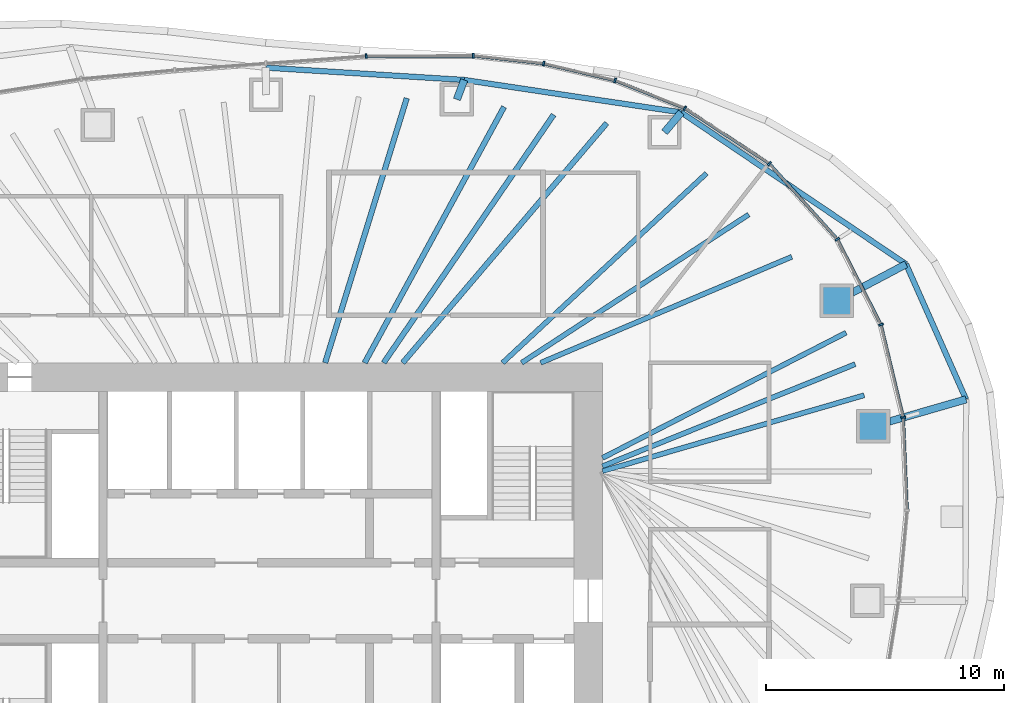
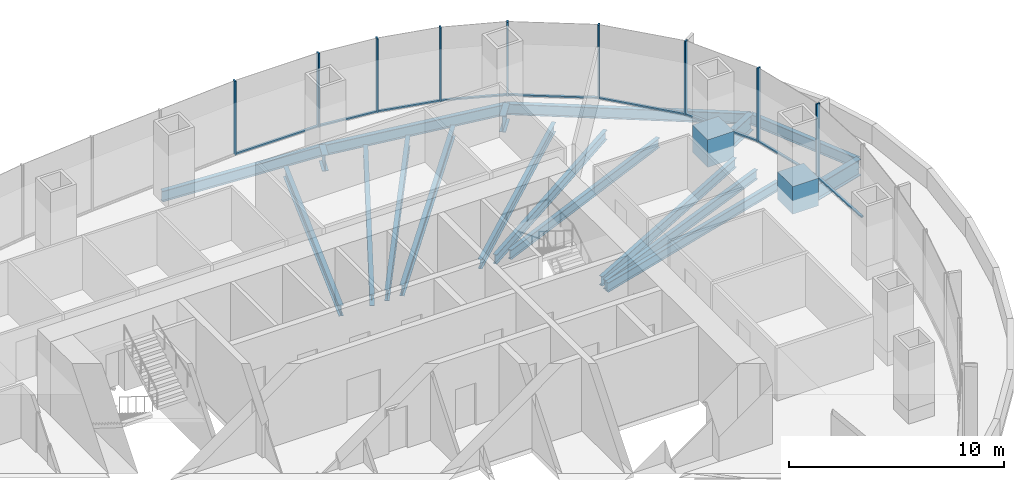
# One storey, part 6 of 12: 20 members, 18 beams, 5 elements without a shape of their own.
"""IFC4 building model written with IfcOpenShell, lengths in metres."""

from ifc_helpers import new_model, si_unit, direction, frame, origin, origin_2d, place, context, subcontext, project, spatial, rectangle, hollow_rectangle, i_section, extrude, boolean, material, material_profile, profile_set, type_object, element, aggregate, save


model = new_model("IFC4")

# Units and contexts
model_context = context("Model", 3, precision=1e-05, world=origin(), true_north=direction((0.0, 1.0)))
body_context = subcontext(model_context, "Body", "Model", "MODEL_VIEW")
ifc_project = project(units=[si_unit("LENGTHUNIT", "METRE"), si_unit("AREAUNIT", "SQUARE_METRE"), si_unit("VOLUMEUNIT", "CUBIC_METRE"), si_unit("PLANEANGLEUNIT", "RADIAN"), si_unit("MASSUNIT", "GRAM", prefix="KILO")], contexts=[model_context])

# Site, building, storey
site_placement = place(None, origin())
site = spatial("IfcSite", under=ifc_project, at=site_placement, CompositionType="ELEMENT")
building_placement = place(site_placement, origin())
building = spatial("IfcBuilding", under=site, at=building_placement, Name="Ghaith Harvest Tower", CompositionType="ELEMENT")
storey_placement = place(building_placement, frame((0.0, 0.0, 194.800048828125)))
storey = spatial("IfcBuildingStorey", under=building, at=storey_placement, Name="L42", CompositionType="ELEMENT", Elevation=194.800048828125)

# Curtain wall, members
ifc_material_1 = material(Name="Black anodised aluminium and fritted glass", Category="aluminium")
curtain_wall_type = type_object("IfcCurtainWallType", Name="CW-H CURTAIN WALL", PredefinedType="NOTDEFINED", material=ifc_material_1)
curtain_wall_1_placement = place(storey_placement, origin())
curtain_wall_1 = element("IfcCurtainWall", 1, at=curtain_wall_1_placement, inside=storey, type_object=curtain_wall_type, Name="Curtain wall CW-H bay 02 L42", PredefinedType="NOTDEFINED")
ifc_material_2 = material(Name="Aluminium, black anodised", Category="aluminium")
ifc_material_profile_1 = material_profile(ifc_material_2, rectangle(XDim=0.080078125, YDim=0.199951171875, at=origin_2d()), Name="CW-H MULLION 80x200")
ifc_profile_set_1 = profile_set([ifc_material_profile_1], Name="Aluminium, black anodised")
member_type_1 = type_object("IfcMemberType", Name="CW-H MULLION 80x200", PredefinedType="MULLION", material=ifc_profile_set_1)
member_1_placement = place(storey_placement, frame((26.646484375, 7.701416015625, 0.0), z_axis=(0.0, 0.0, 1.0), x_axis=(-0.139146256981, 0.990271841046, 0.0)))
member_1 = element("IfcMember", 2, at=member_1_placement, type_object=member_type_1, Name="CW-H mullion 1 bay 02 L42", PredefinedType="MULLION", context=body_context, shape_type="SweptSolid", body=[
    extrude(rectangle(XDim=0.080078125, YDim=0.199951171875, at=origin_2d()), origin(), (0.0, 0.0, 1.0), 4.199951171875),
])
member_2_placement = place(storey_placement, frame((25.707275390625, 11.60546875, 0.0), z_axis=(0.0, 0.0, 1.0), x_axis=(-0.347012123561, 0.93786064322, 0.0)))
member_2 = element("IfcMember", 3, at=member_2_placement, type_object=member_type_1, Name="CW-H mullion 2 bay 02 L42", PredefinedType="MULLION", context=body_context, shape_type="SweptSolid", body=[
    extrude(rectangle(XDim=0.080078125, YDim=0.199951171875, at=origin_2d()), origin(), (0.0, 0.0, 1.0), 4.199951171875),
])

curtain_wall_2_placement = place(storey_placement, origin())
curtain_wall_2 = element("IfcCurtainWall", 4, at=curtain_wall_2_placement, inside=storey, type_object=curtain_wall_type, Name="Curtain wall CW-H bay 03 L42", PredefinedType="NOTDEFINED")
member_3_placement = place(storey_placement, frame((23.874267578125, 15.19384765625, 0.0), z_axis=(0.0, 0.0, 1.0), x_axis=(-0.569847382909, 0.821750546207, 0.0)))
member_3 = element("IfcMember", 5, at=member_3_placement, type_object=member_type_1, Name="CW-H mullion 1 bay 03 L42", PredefinedType="MULLION", context=body_context, shape_type="SweptSolid", body=[
    extrude(rectangle(XDim=0.080078125, YDim=0.199951171875, at=origin_2d()), origin(), (0.0, 0.0, 1.0), 4.199951171875),
])
member_4_placement = place(storey_placement, frame((21.013427734375, 18.374267578125, 0.0), z_axis=(0.0, 0.0, 1.0), x_axis=(-0.758541332755, 0.651624927778, 0.0)))
member_4 = element("IfcMember", 6, at=member_4_placement, type_object=member_type_1, Name="CW-H mullion 2 bay 03 L42", PredefinedType="MULLION", context=body_context, shape_type="SweptSolid", body=[
    extrude(rectangle(XDim=0.080078125, YDim=0.199951171875, at=origin_2d()), origin(), (0.0, 0.0, 1.0), 4.199951171875),
])

curtain_wall_3_placement = place(storey_placement, origin())
curtain_wall_3 = element("IfcCurtainWall", 7, at=curtain_wall_3_placement, inside=storey, type_object=curtain_wall_type, Name="Curtain wall CW-H bay 04 L42", PredefinedType="NOTDEFINED")
member_5_placement = place(storey_placement, frame((17.45947265625, 20.704345703125, 0.0), z_axis=(0.0, 0.0, 1.0), x_axis=(-0.880203412003, 0.474596621878, 0.0)))
member_5 = element("IfcMember", 8, at=member_5_placement, type_object=member_type_1, Name="CW-H mullion 1 bay 04 L42", PredefinedType="MULLION", context=body_context, shape_type="SweptSolid", body=[
    extrude(rectangle(XDim=0.080078125, YDim=0.199951171875, at=origin_2d()), origin(), (0.0, 0.0, 1.0), 4.199951171875),
])
member_6_placement = place(storey_placement, frame((14.52734375, 21.871337890625, 0.0), z_axis=(0.0, 0.0, 1.0), x_axis=(-0.953502908871, 0.30138381306, 0.0)))
member_6 = element("IfcMember", 9, at=member_6_placement, type_object=member_type_1, Name="CW-H mullion 2 bay 04 L42", PredefinedType="MULLION", context=body_context, shape_type="SweptSolid", body=[
    extrude(rectangle(XDim=0.080078125, YDim=0.199951171875, at=origin_2d()), origin(), (0.0, 0.0, 1.0), 4.199951171875),
])
member_7_placement = place(storey_placement, frame((11.527099609375, 22.579345703125, 0.0), z_axis=(0.0, 0.0, 1.0), x_axis=(-0.985193373388, 0.171446834417, 0.0)))
member_7 = element("IfcMember", 10, at=member_7_placement, type_object=member_type_1, Name="CW-H mullion 3 bay 04 L42", PredefinedType="MULLION", context=body_context, shape_type="SweptSolid", body=[
    extrude(rectangle(XDim=0.080078125, YDim=0.199951171875, at=origin_2d()), origin(), (0.0, 0.0, 1.0), 4.199951171875),
])

curtain_wall_4_placement = place(storey_placement, origin())
curtain_wall_4 = element("IfcCurtainWall", 11, at=curtain_wall_4_placement, inside=storey, type_object=curtain_wall_type, Name="Curtain wall CW-H bay 05 L42", PredefinedType="NOTDEFINED")
member_8_placement = place(storey_placement, frame((8.564208984375, 22.9091796875, 0.0), z_axis=(0.0, 0.0, 1.0), x_axis=(-0.999083519493, 0.042803283493, 0.0)))
member_8 = element("IfcMember", 12, at=member_8_placement, type_object=member_type_1, Name="CW-H mullion 1 bay 05 L42", PredefinedType="MULLION", context=body_context, shape_type="SweptSolid", body=[
    extrude(rectangle(XDim=0.080078125, YDim=0.199951171875, at=origin_2d()), origin(), (0.0, 0.0, 1.0), 4.199951171875),
])
member_9_placement = place(storey_placement, frame((4.0595703125, 22.8994140625, 0.0), z_axis=(0.0, 0.0, 1.0), x_axis=(-0.999332779724, -0.036523901335, 0.0)))
member_9 = element("IfcMember", 13, at=member_9_placement, type_object=member_type_1, Name="CW-H mullion 2 bay 05 L42", PredefinedType="MULLION", context=body_context, shape_type="SweptSolid", body=[
    extrude(rectangle(XDim=0.080078125, YDim=0.199951171875, at=origin_2d()), origin(), (0.0, 0.0, 1.0), 4.199951171875),
])

# Curtain wall, member
curtain_wall_5_placement = place(storey_placement, origin())
curtain_wall_5 = element("IfcCurtainWall", 14, at=curtain_wall_5_placement, inside=storey, type_object=curtain_wall_type, Name="Curtain wall CW-H bay 01 L42", PredefinedType="NOTDEFINED")
ifc_material_3 = material(Name="Aluminium, black anodised", Category="aluminium")
ifc_material_profile_2 = material_profile(ifc_material_3, rectangle(XDim=0.1298828125, YDim=0.080078125, at=origin_2d()), Name="CW-H TRANSOM 130x80")
ifc_profile_set_2 = profile_set([ifc_material_profile_2], Name="Aluminium, black anodised")
member_type_2 = type_object("IfcMemberType", Name="CW-H TRANSOM 130x80", PredefinedType="USERDEFINED", material=ifc_profile_set_2)
member_10_placement = place(storey_placement, frame((26.802978515625, 3.8359375, 0.0400390625), z_axis=(-0.040492641284, 0.999179836667, 0.0), x_axis=(-0.999179836667, -0.040492641284, 0.0)))
member_10 = element("IfcMember", 15, at=member_10_placement, type_object=member_type_2, Name="CW-H transom 2 bay 01 L42", ObjectType="TRANSOM", PredefinedType="USERDEFINED", context=body_context, shape_type="SweptSolid", body=[
    extrude(rectangle(XDim=0.1298828125, YDim=0.080078125, at=origin_2d()), origin(), (0.0, 0.0, 1.0), 3.82861328125),
])
aggregate(curtain_wall_5, [member_10])

# Member
member_11_placement = place(storey_placement, frame((26.636962890625, 7.740234375, 0.0400390625), z_axis=(-0.233870324689, 0.972267798104, 0.0), x_axis=(-0.972267798104, -0.233870324689, 0.0)))
member_11 = element("IfcMember", 16, at=member_11_placement, type_object=member_type_2, Name="CW-H transom 1 bay 02 L42", ObjectType="TRANSOM", PredefinedType="USERDEFINED", context=body_context, shape_type="SweptSolid", body=[
    extrude(rectangle(XDim=0.1298828125, YDim=0.080078125, at=origin_2d()), origin(), (0.0, 0.0, 1.0), 3.935546875),
])

member_12_placement = place(storey_placement, frame((25.68896484375, 11.64111328125, 0.0400390625), z_axis=(-0.454911728312, 0.890536534592, 0.0), x_axis=(-0.890536534592, -0.454911728312, 0.0)))
member_12 = element("IfcMember", 17, at=member_12_placement, type_object=member_type_2, Name="CW-H transom 2 bay 02 L42", ObjectType="TRANSOM", PredefinedType="USERDEFINED", context=body_context, shape_type="SweptSolid", body=[
    extrude(rectangle(XDim=0.1298828125, YDim=0.080078125, at=origin_2d()), origin(), (0.0, 0.0, 1.0), 3.949462890625),
])

aggregate(curtain_wall_1, [member_1, member_11, member_2, member_12])

member_13_placement = place(storey_placement, frame((23.847412109375, 15.223388671875, 0.0400390625), z_axis=(-0.668752638518, 0.743484975286, 0.0), x_axis=(-0.743484975286, -0.668752638518, 0.0)))
member_13 = element("IfcMember", 18, at=member_13_placement, type_object=member_type_2, Name="CW-H transom 1 bay 03 L42", ObjectType="TRANSOM", PredefinedType="USERDEFINED", context=body_context, shape_type="SweptSolid", body=[
    extrude(rectangle(XDim=0.1298828125, YDim=0.080078125, at=origin_2d()), origin(), (0.0, 0.0, 1.0), 4.197998046875),
])

member_14_placement = place(storey_placement, frame((20.97998046875, 18.39599609375, 0.0400390625), z_axis=(-0.836268574396, 0.548320044753, 0.0), x_axis=(-0.548320044753, -0.836268574396, 0.0)))
member_14 = element("IfcMember", 19, at=member_14_placement, type_object=member_type_2, Name="CW-H transom 2 bay 03 L42", ObjectType="TRANSOM", PredefinedType="USERDEFINED", context=body_context, shape_type="SweptSolid", body=[
    extrude(rectangle(XDim=0.1298828125, YDim=0.080078125, at=origin_2d()), origin(), (0.0, 0.0, 1.0), 4.169677734375),
])

aggregate(curtain_wall_2, [member_3, member_13, member_4, member_14])

member_15_placement = place(storey_placement, frame((17.42236328125, 20.71923828125, 0.0400390625), z_axis=(-0.929115751434, 0.369789021521, 0.0), x_axis=(-0.369789021521, -0.929115751434, 0.0)))
member_15 = element("IfcMember", 20, at=member_15_placement, type_object=member_type_2, Name="CW-H transom 1 bay 04 L42", ObjectType="TRANSOM", PredefinedType="USERDEFINED", context=body_context, shape_type="SweptSolid", body=[
    extrude(rectangle(XDim=0.1298828125, YDim=0.080078125, at=origin_2d()), origin(), (0.0, 0.0, 1.0), 3.075927734375),
])

member_16_placement = place(storey_placement, frame((14.48828125, 21.880615234375, 0.0400390625), z_axis=(-0.97325803677, 0.229714592186, 0.0), x_axis=(-0.229714592186, -0.97325803677, 0.0)))
member_16 = element("IfcMember", 21, at=member_16_placement, type_object=member_type_2, Name="CW-H transom 2 bay 04 L42", ObjectType="TRANSOM", PredefinedType="USERDEFINED", context=body_context, shape_type="SweptSolid", body=[
    extrude(rectangle(XDim=0.1298828125, YDim=0.080078125, at=origin_2d()), origin(), (0.0, 0.0, 1.0), 3.00244140625),
])

member_17_placement = place(storey_placement, frame((11.4873046875, 22.583984375, 0.0400390625), z_axis=(-0.993867303252, 0.110579308762, 0.0), x_axis=(-0.110579308762, -0.993867303252, 0.0)))
member_17 = element("IfcMember", 22, at=member_17_placement, type_object=member_type_2, Name="CW-H transom 3 bay 04 L42", ObjectType="TRANSOM", PredefinedType="USERDEFINED", context=body_context, shape_type="SweptSolid", body=[
    extrude(rectangle(XDim=0.1298828125, YDim=0.080078125, at=origin_2d()), origin(), (0.0, 0.0, 1.0), 2.901123046875),
])

aggregate(curtain_wall_3, [member_5, member_15, member_6, member_16, member_7, member_17])

member_18_placement = place(storey_placement, frame((8.524169921875, 22.9091796875, 0.0400390625), z_axis=(-0.999997564275, -0.002207134722, 0.0), x_axis=(0.002207134722, -0.999997564275, 0.0)))
member_18 = element("IfcMember", 23, at=member_18_placement, type_object=member_type_2, Name="CW-H transom 1 bay 05 L42", ObjectType="TRANSOM", PredefinedType="USERDEFINED", context=body_context, shape_type="SweptSolid", body=[
    extrude(rectangle(XDim=0.1298828125, YDim=0.080078125, at=origin_2d()), origin(), (0.0, 0.0, 1.0), 4.424560546875),
])

aggregate(curtain_wall_4, [member_8, member_18, member_9])

# Beams
ifc_material_4 = material(Name="Steel ASTM A992 Grade 50", Category="steel")
ifc_material_profile_3 = material_profile(ifc_material_4, i_section(OverallWidth=0.22900390625, OverallDepth=0.612060546875, WebThickness=0.011962890625, FlangeThickness=0.01953125, at=origin_2d()), Name="W610X125")
ifc_profile_set_3 = profile_set([ifc_material_profile_3], Name="Steel ASTM A992 Grade 50")
beam_type_1 = type_object("IfcBeamType", Name="E610-125 W610X125", PredefinedType="SPANDREL", material=ifc_profile_set_3)
beam_1_placement = place(storey_placement, frame((29.286376953125, 8.46435546875, -0.5810546875), z_axis=(-0.405777716478, 0.913971796507, 0.0), x_axis=(-0.913971796507, -0.405777716478, 0.0)))
element("IfcBeam", 24, at=beam_1_placement, inside=storey, type_object=beam_type_1, Name="Setback edge beam E02 L42", PredefinedType="SPANDREL", context=body_context, shape_type="SweptSolid", body=[
    extrude(i_section(OverallWidth=0.22900390625, OverallDepth=0.612060546875, WebThickness=0.011962890625, FlangeThickness=0.01953125, at=origin_2d()), origin(), (0.0, 0.0, 1.0), 6.217041015625),
])
beam_2_placement = place(storey_placement, frame((26.763671875, 14.146484375, -0.5810546875), z_axis=(-0.82876900736, 0.559590861648, 0.0), x_axis=(-0.559590861648, -0.82876900736, 0.0)))
element("IfcBeam", 25, at=beam_2_placement, inside=storey, type_object=beam_type_1, Name="Setback edge beam E03 L42", PredefinedType="SPANDREL", context=body_context, shape_type="SweptSolid", body=[
    extrude(i_section(OverallWidth=0.22900390625, OverallDepth=0.612060546875, WebThickness=0.011962890625, FlangeThickness=0.01953125, at=origin_2d()), origin(), (0.0, 0.0, 1.0), 11.4052734375),
])
beam_3_placement = place(storey_placement, frame((17.311279296875, 20.52880859375, -0.5810546875), z_axis=(-0.98900784373, 0.147863061782, 0.0), x_axis=(-0.147863061782, -0.98900784373, 0.0)))
element("IfcBeam", 26, at=beam_3_placement, inside=storey, type_object=beam_type_1, Name="Setback edge beam E04 L42", PredefinedType="SPANDREL", context=body_context, shape_type="SweptSolid", body=[
    extrude(i_section(OverallWidth=0.22900390625, OverallDepth=0.612060546875, WebThickness=0.011962890625, FlangeThickness=0.01953125, at=origin_2d()), origin(), (0.0, 0.0, 1.0), 9.22802734375),
])
beam_4_placement = place(storey_placement, frame((8.1845703125, 21.893310546875, -0.5810546875), z_axis=(-0.99808789627, 0.061810608474, 0.0), x_axis=(-0.061810608474, -0.99808789627, 0.0)))
element("IfcBeam", 27, at=beam_4_placement, inside=storey, type_object=beam_type_1, Name="Setback edge beam E05 L42", PredefinedType="SPANDREL", context=body_context, shape_type="SweptSolid", body=[
    extrude(i_section(OverallWidth=0.22900390625, OverallDepth=0.612060546875, WebThickness=0.011962890625, FlangeThickness=0.01953125, at=origin_2d()), origin(), (0.0, 0.0, 1.0), 8.353759765625),
])
ifc_material_5 = material(Name="Steel ASTM A992 Grade 50", Category="steel")
ifc_material_profile_4 = material_profile(ifc_material_5, i_section(OverallWidth=0.31005859375, OverallDepth=0.927001953125, WebThickness=0.019287109375, FlangeThickness=0.031982421875, at=origin_2d()), Name="W920X289")
ifc_profile_set_4 = profile_set([ifc_material_profile_4], Name="Steel ASTM A992 Grade 50")
beam_type_2 = type_object("IfcBeamType", Name="G920-289 W920X289", PredefinedType="BEAM", material=ifc_profile_set_4)
beam_5_placement = place(storey_placement, frame((25.3779296875, 7.3349609375, -0.738525390625), z_axis=(0.960695335282, 0.277604886065, 0.0), x_axis=(-0.277604886065, 0.960695335282, 0.0)))
element("IfcBeam", 28, at=beam_5_placement, inside=storey, type_object=beam_type_2, Name="Setback cantilever G02 L42", PredefinedType="BEAM", context=body_context, shape_type="SweptSolid", body=[
    extrude(i_section(OverallWidth=0.31005859375, OverallDepth=0.927001953125, WebThickness=0.019287109375, FlangeThickness=0.031982421875, at=origin_2d()), origin(), (0.0, 0.0, 1.0), 4.068359375),
])
beam_6_placement = place(storey_placement, frame((23.85205078125, 12.60693359375, -0.738525390625), z_axis=(0.884025806333, 0.467438096154, 0.0), x_axis=(-0.467438096154, 0.884025806333, 0.0)))
element("IfcBeam", 29, at=beam_6_placement, inside=storey, type_object=beam_type_2, Name="Setback cantilever G03 L42", PredefinedType="BEAM", context=body_context, shape_type="SweptSolid", body=[
    extrude(i_section(OverallWidth=0.31005859375, OverallDepth=0.927001953125, WebThickness=0.019287109375, FlangeThickness=0.031982421875, at=origin_2d()), origin(), (0.0, 0.0, 1.0), 3.293701171875),
])
beam_7_placement = place(storey_placement, frame((16.60791015625, 19.695068359375, -0.738525390625), z_axis=(0.64481782412, 0.764336296206, 0.0), x_axis=(-0.764336296206, 0.64481782412, 0.0)))
element("IfcBeam", 30, at=beam_7_placement, inside=storey, type_object=beam_type_2, Name="Setback cantilever G04 L42", PredefinedType="BEAM", context=body_context, shape_type="SweptSolid", body=[
    extrude(i_section(OverallWidth=0.31005859375, OverallDepth=0.927001953125, WebThickness=0.019287109375, FlangeThickness=0.031982421875, at=origin_2d()), origin(), (0.0, 0.0, 1.0), 1.0908203125),
])
beam_8_placement = place(storey_placement, frame((7.8779296875, 21.072021484375, -0.738525390625), z_axis=(0.349780236898, 0.936831780991, 0.0), x_axis=(-0.936831780991, 0.349780236898, 0.0)))
element("IfcBeam", 31, at=beam_8_placement, inside=storey, type_object=beam_type_2, Name="Setback cantilever G05 L42", PredefinedType="BEAM", context=body_context, shape_type="SweptSolid", body=[
    extrude(i_section(OverallWidth=0.31005859375, OverallDepth=0.927001953125, WebThickness=0.019287109375, FlangeThickness=0.031982421875, at=origin_2d()), origin(), (0.0, 0.0, 1.0), 0.876708984375),
])
ifc_material_6 = material(Name="Steel ASTM A992 Grade 50", Category="steel")
ifc_material_profile_5 = material_profile(ifc_material_6, i_section(OverallWidth=0.2109375, OverallDepth=0.5390625, WebThickness=0.01171875, FlangeThickness=0.018798828125, at=origin_2d()), Name="W530X109")
ifc_profile_set_5 = profile_set([ifc_material_profile_5], Name="Steel ASTM A992 Grade 50")
beam_type_3 = type_object("IfcBeamType", Name="J530-109 W530X109", PredefinedType="JOIST", material=ifc_profile_set_5)
beam_9_placement = place(storey_placement, frame((14.0, 5.4462890625, -0.439453125), z_axis=(0.960451827804, 0.278446200311, 0.0), x_axis=(-0.278446200311, 0.960451827804, 0.0)))
element("IfcBeam", 32, at=beam_9_placement, inside=storey, type_object=beam_type_3, Name="Joist J02.1 L42", PredefinedType="JOIST", context=body_context, shape_type="SweptSolid", body=[
    extrude(i_section(OverallWidth=0.2109375, OverallDepth=0.5390625, WebThickness=0.01171875, FlangeThickness=0.018798828125, at=origin_2d()), origin(), (0.0, 0.0, 1.0), 11.45458984375),
])
beam_10_placement = place(storey_placement, frame((14.0, 5.653564453125, -0.439453125), z_axis=(0.927250374508, 0.37444190868, 0.0), x_axis=(-0.37444190868, 0.927250374508, 0.0)))
element("IfcBeam", 33, at=beam_10_placement, inside=storey, type_object=beam_type_3, Name="Joist J02.2 L42", PredefinedType="JOIST", context=body_context, shape_type="SweptSolid", body=[
    extrude(i_section(OverallWidth=0.2109375, OverallDepth=0.5390625, WebThickness=0.01171875, FlangeThickness=0.018798828125, at=origin_2d()), origin(), (0.0, 0.0, 1.0), 11.45654296875),
])
beam_11_placement = place(storey_placement, frame((14.0, 6.0, -0.439453125), z_axis=(0.889345695298, 0.457235425416, 0.0), x_axis=(-0.457235425416, 0.889345695298, 0.0)))
element("IfcBeam", 34, at=beam_11_placement, inside=storey, type_object=beam_type_3, Name="Joist J02.3 L42", PredefinedType="JOIST", context=body_context, shape_type="SweptSolid", body=[
    extrude(i_section(OverallWidth=0.2109375, OverallDepth=0.5390625, WebThickness=0.01171875, FlangeThickness=0.018798828125, at=origin_2d()), origin(), (0.0, 0.0, 1.0), 11.5146484375),
])
beam_12_placement = place(storey_placement, frame((11.39990234375, 10.0, -0.439453125), z_axis=(0.92127415213, 0.388913790727, 0.0), x_axis=(-0.388913790727, 0.92127415213, 0.0)))
element("IfcBeam", 35, at=beam_12_placement, inside=storey, type_object=beam_type_3, Name="Joist J03.1 L42", PredefinedType="JOIST", context=body_context, shape_type="SweptSolid", body=[
    extrude(i_section(OverallWidth=0.2109375, OverallDepth=0.5390625, WebThickness=0.01171875, FlangeThickness=0.018798828125, at=origin_2d()), origin(), (0.0, 0.0, 1.0), 11.462646484375),
])
beam_13_placement = place(storey_placement, frame((10.60009765625, 10.0, -0.439453125), z_axis=(0.837329320942, 0.546698827775, 0.0), x_axis=(-0.546698827775, 0.837329320942, 0.0)))
element("IfcBeam", 36, at=beam_13_placement, inside=storey, type_object=beam_type_3, Name="Joist J03.2 L42", PredefinedType="JOIST", context=body_context, shape_type="SweptSolid", body=[
    extrude(i_section(OverallWidth=0.2109375, OverallDepth=0.5390625, WebThickness=0.01171875, FlangeThickness=0.018798828125, at=origin_2d()), origin(), (0.0, 0.0, 1.0), 11.40087890625),
])
beam_14_placement = place(storey_placement, frame((9.800048828125, 10.0, -0.439453125), z_axis=(0.732519288302, 0.680746275984, 0.0), x_axis=(-0.680746275984, 0.732519288302, 0.0)))
element("IfcBeam", 37, at=beam_14_placement, inside=storey, type_object=beam_type_3, Name="Joist J03.3 L42", PredefinedType="JOIST", context=body_context, shape_type="SweptSolid", body=[
    extrude(i_section(OverallWidth=0.2109375, OverallDepth=0.5390625, WebThickness=0.01171875, FlangeThickness=0.018798828125, at=origin_2d()), origin(), (0.0, 0.0, 1.0), 11.7041015625),
])
ifc_material_7 = material(Name="Steel ASTM A992 Grade 50", Category="steel")
ifc_material_profile_6 = material_profile(ifc_material_7, i_section(OverallWidth=0.22900390625, OverallDepth=0.612060546875, WebThickness=0.011962890625, FlangeThickness=0.01953125, at=origin_2d()), Name="W610X125")
ifc_profile_set_6 = profile_set([ifc_material_profile_6], Name="Steel ASTM A992 Grade 50")
beam_type_4 = type_object("IfcBeamType", Name="J610-125 W610X125", PredefinedType="JOIST", material=ifc_profile_set_6)
beam_15_placement = place(storey_placement, frame((5.60009765625, 10.0, -0.47607421875), z_axis=(0.648194422444, 0.761474878582, 0.0), x_axis=(-0.761474878582, 0.648194422444, 0.0)))
element("IfcBeam", 38, at=beam_15_placement, inside=storey, type_object=beam_type_4, Name="Joist J04.1 L42", PredefinedType="JOIST", context=body_context, shape_type="SweptSolid", body=[
    extrude(i_section(OverallWidth=0.22900390625, OverallDepth=0.612060546875, WebThickness=0.011962890625, FlangeThickness=0.01953125, at=origin_2d()), origin(), (0.0, 0.0, 1.0), 13.235107421875),
])
beam_16_placement = place(storey_placement, frame((4.800048828125, 10.0, -0.47607421875), z_axis=(0.565277671826, 0.824900693256, 0.0), x_axis=(-0.824900693256, 0.565277671826, 0.0)))
element("IfcBeam", 39, at=beam_16_placement, inside=storey, type_object=beam_type_4, Name="Joist J04.2 L42", PredefinedType="JOIST", context=body_context, shape_type="SweptSolid", body=[
    extrude(i_section(OverallWidth=0.22900390625, OverallDepth=0.612060546875, WebThickness=0.011962890625, FlangeThickness=0.01953125, at=origin_2d()), origin(), (0.0, 0.0, 1.0), 12.64404296875),
])
beam_17_placement = place(storey_placement, frame((4.0, 10.0, -0.47607421875), z_axis=(0.478357824489, 0.878165013964, 0.0), x_axis=(-0.878165013964, 0.478357824489, 0.0)))
element("IfcBeam", 40, at=beam_17_placement, inside=storey, type_object=beam_type_4, Name="Joist J04.3 L42", PredefinedType="JOIST", context=body_context, shape_type="SweptSolid", body=[
    extrude(i_section(OverallWidth=0.22900390625, OverallDepth=0.612060546875, WebThickness=0.011962890625, FlangeThickness=0.01953125, at=origin_2d()), origin(), (0.0, 0.0, 1.0), 12.251953125),
])
beam_18_placement = place(storey_placement, frame((2.33837890625, 10.0, -0.47607421875), z_axis=(0.294698851552, 0.955590177269, 0.0), x_axis=(-0.955590177269, 0.294698851552, 0.0)))
element("IfcBeam", 41, at=beam_18_placement, inside=storey, type_object=beam_type_4, Name="Joist J05.1 L42", PredefinedType="JOIST", context=body_context, shape_type="SweptSolid", body=[
    extrude(i_section(OverallWidth=0.22900390625, OverallDepth=0.612060546875, WebThickness=0.011962890625, FlangeThickness=0.01953125, at=origin_2d()), origin(), (0.0, 0.0, 1.0), 11.641357421875),
])

# Members
ifc_material_8 = material(Name="Steel S690QL", Category="steel")
ifc_material_profile_7 = material_profile(ifc_material_8, hollow_rectangle(XDim=1.39990234375, YDim=1.39990234375, WallThickness=0.139892578125, at=origin_2d()), Name="BOX1400X1400X140")
ifc_profile_set_7 = profile_set([ifc_material_profile_7], Name="Steel S690QL")
member_type_3 = type_object("IfcMemberType", Name="KN2 BOX1400X1400X140", PredefinedType="USERDEFINED", material=ifc_profile_set_7)
for number, where, z_axis, x_axis, name in (
    (42, (25.3779296875, 7.3349609375, -0.775146484375), (0.0, 0.0, 1.0), (1.0, 0.0, 0.0), "Raked column kink node C02 head L41"),
    (43, (23.85205078125, 12.60693359375, -0.775146484375), (0.0, 0.0, 1.0), (1.0, 0.0, 0.0), "Raked column kink node C03 head L41"),
):
    element("IfcMember", number, at=place(storey_placement, frame(where, z_axis=z_axis, x_axis=x_axis)), inside=storey, type_object=member_type_3, Name=name, ObjectType="KINK NODE", PredefinedType="USERDEFINED", context=body_context, shape_type="CSG", body=[
        boolean("UNION", extrude(hollow_rectangle(XDim=1.39990234375, YDim=1.39990234375, WallThickness=0.139892578125, at=origin_2d()), origin(), (0.0, 0.0, 1.0), 1.55029296875), extrude(rectangle(XDim=1.39990234375, YDim=1.39990234375, at=origin_2d()), frame((0.0, 0.0, 1.55029296875)), (0.0, 0.0, 1.0), 0.02490234375)),
    ])

save(model, "model.ifc")
